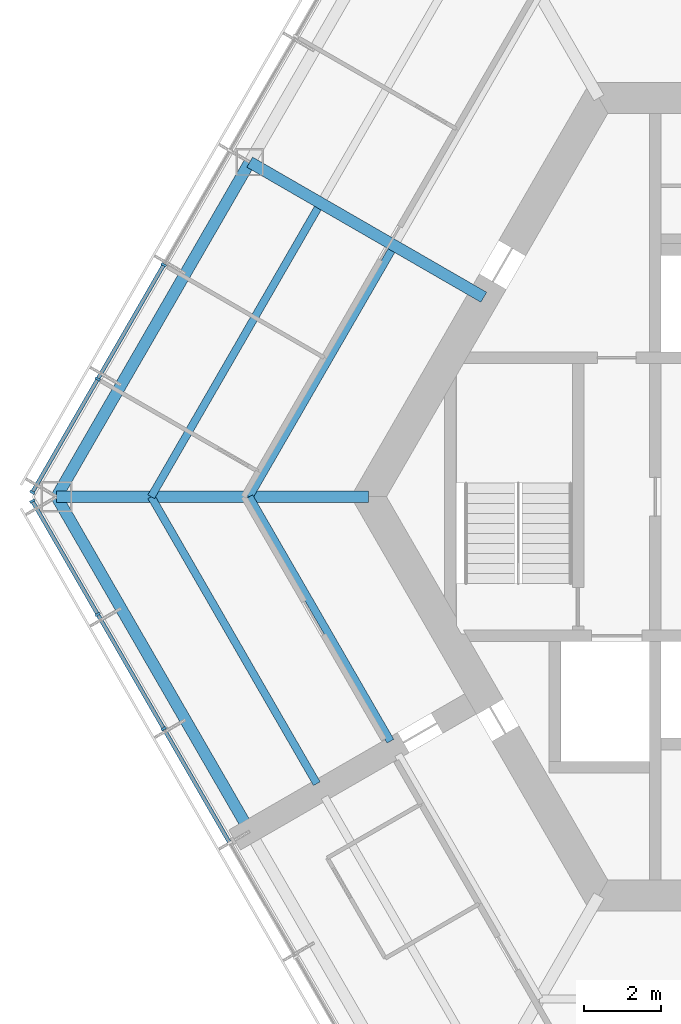
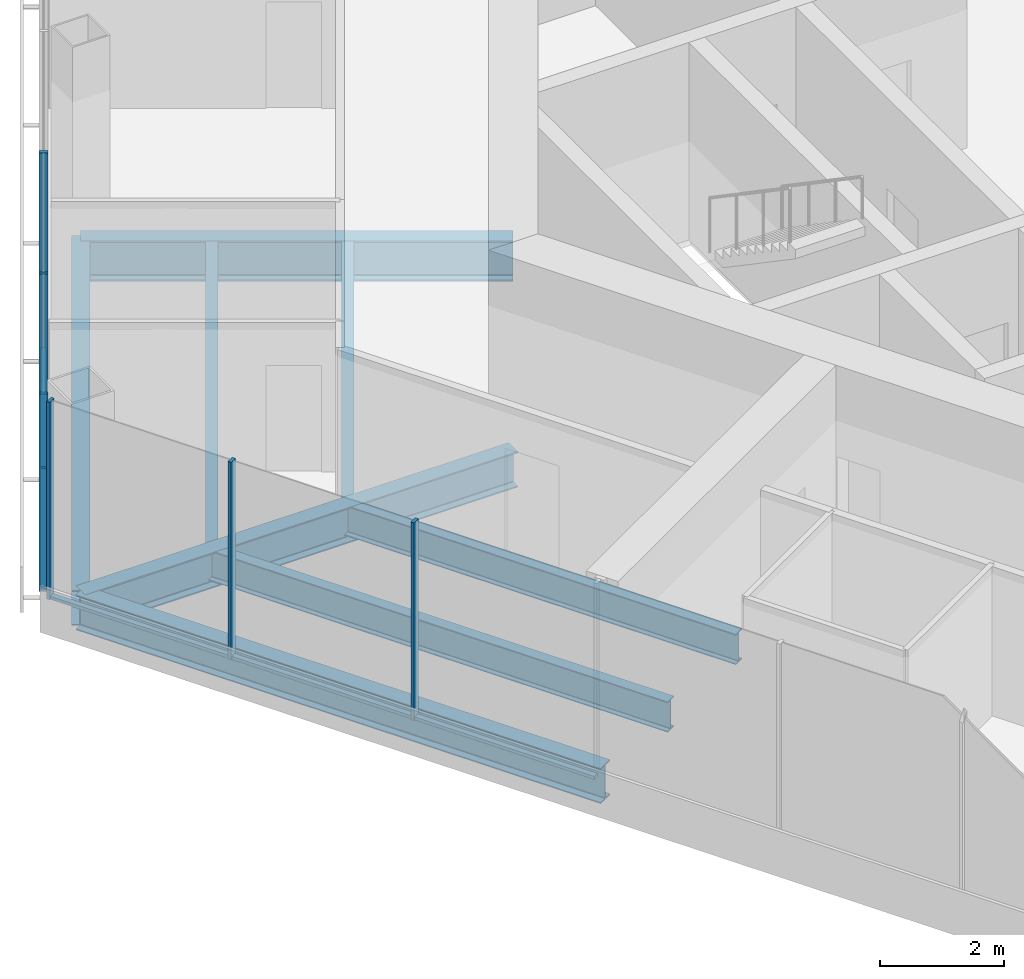
# One storey, part 3 of 16: 11 members, 8 beams, 2 elements without a shape of their own.
"""IFC4 building model written with IfcOpenShell, lengths in metres."""

from ifc_helpers import new_model, si_unit, direction, frame, origin, origin_2d, place, context, subcontext, project, spatial, rectangle, i_section, extrude, material, material_profile, profile_set, type_object, element, aggregate, save


model = new_model("IFC4")

# Units and contexts
model_context = context("Model", 3, precision=1e-05, world=origin(), true_north=direction((0.0, 1.0)))
body_context = subcontext(model_context, "Body", "Model", "MODEL_VIEW")
ifc_project = project(units=[si_unit("LENGTHUNIT", "METRE"), si_unit("AREAUNIT", "SQUARE_METRE"), si_unit("VOLUMEUNIT", "CUBIC_METRE"), si_unit("PLANEANGLEUNIT", "RADIAN"), si_unit("MASSUNIT", "GRAM", prefix="KILO")], contexts=[model_context])

# Site, building, storey
site_placement = place(None, origin())
site = spatial("IfcSite", under=ifc_project, at=site_placement, CompositionType="ELEMENT")
building_placement = place(site_placement, origin())
building = spatial("IfcBuilding", under=site, at=building_placement, Name="Kasaneha Research Tower", CompositionType="ELEMENT")
storey_placement = place(building_placement, frame((0.0, 0.0, 259.60009765625)))
storey = spatial("IfcBuildingStorey", under=building, at=storey_placement, Name="L65", CompositionType="ELEMENT", Elevation=259.60009765625)

# Beams
ifc_material_1 = material(Name="Steel SN490B", Category="steel")
ifc_material_profile_1 = material_profile(ifc_material_1, i_section(OverallWidth=0.199951171875, OverallDepth=0.60009765625, WebThickness=0.010986328125, FlangeThickness=0.01708984375, FilletRadius=0.012939453125, at=origin_2d()), Name="H-600x200x11x17")
ifc_profile_set_1 = profile_set([ifc_material_profile_1], Name="Steel SN490B")
beam_type_1 = type_object("IfcBeamType", Name="B1-3 secondary beam H-600x200x11x17", PredefinedType="JOIST", material=ifc_profile_set_1)
beam_1_placement = place(storey_placement, frame((-15.010986328125, 0.0, -0.4501953125), z_axis=(0.499994443168, 0.866028611999, 0.0), x_axis=(-0.866028611999, 0.499994443168, 0.0)))
element("IfcBeam", 1, at=beam_1_placement, inside=storey, type_object=beam_type_1, Name="Secondary beam RS150R1 L65", PredefinedType="JOIST", context=body_context, shape_type="SweptSolid", body=[
    extrude(i_section(OverallWidth=0.199951171875, OverallDepth=0.60009765625, WebThickness=0.010986328125, FlangeThickness=0.01708984375, FilletRadius=0.012939453125, at=origin_2d()), origin(), (0.0, 0.0, 1.0), 7.35546875),
])
beam_2_placement = place(storey_placement, frame((-17.551513671875, 0.0, -0.4501953125), z_axis=(0.5000050195, 0.866022505755, 0.0), x_axis=(-0.866022505755, 0.5000050195, 0.0)))
element("IfcBeam", 2, at=beam_2_placement, inside=storey, type_object=beam_type_1, Name="Secondary beam RS150R2 L65", PredefinedType="JOIST", context=body_context, shape_type="SweptSolid", body=[
    extrude(i_section(OverallWidth=0.199951171875, OverallDepth=0.60009765625, WebThickness=0.010986328125, FlangeThickness=0.01708984375, FilletRadius=0.012939453125, at=origin_2d()), origin(), (0.0, 0.0, 1.0), 8.6259765625),
])
beam_3_placement = place(storey_placement, frame((-15.010986328125, 0.0, -0.4501953125), z_axis=(0.499974128195, -0.866040340363, 0.0), x_axis=(0.866040340363, 0.499974128195, 0.0)))
element("IfcBeam", 3, at=beam_3_placement, inside=storey, type_object=beam_type_1, Name="Secondary beam RS210L1 L65", PredefinedType="JOIST", context=body_context, shape_type="SweptSolid", body=[
    extrude(i_section(OverallWidth=0.199951171875, OverallDepth=0.60009765625, WebThickness=0.010986328125, FlangeThickness=0.01708984375, FilletRadius=0.012939453125, at=origin_2d()), origin(), (0.0, 0.0, 1.0), 7.3056640625),
])
beam_4_placement = place(storey_placement, frame((-17.551513671875, 0.0, -0.4501953125), z_axis=(0.500000102728, -0.866025344474, 0.0), x_axis=(0.866025344474, 0.500000102728, 0.0)))
element("IfcBeam", 4, at=beam_4_placement, inside=storey, type_object=beam_type_1, Name="Secondary beam RS210L2 L65", PredefinedType="JOIST", context=body_context, shape_type="SweptSolid", body=[
    extrude(i_section(OverallWidth=0.199951171875, OverallDepth=0.60009765625, WebThickness=0.010986328125, FlangeThickness=0.01708984375, FilletRadius=0.012939453125, at=origin_2d()), origin(), (0.0, 0.0, 1.0), 8.57568359375),
])

# Curtain wall, members
ifc_material_2 = material(Name="Glass and aluminium", Category="aluminium")
curtain_wall_type = type_object("IfcCurtainWallType", Name="High-rise office curtain wall", PredefinedType="USERDEFINED", material=ifc_material_2)
curtain_wall_1_placement = place(storey_placement, origin())
curtain_wall_1 = element("IfcCurtainWall", 5, at=curtain_wall_1_placement, inside=storey, type_object=curtain_wall_type, Name="CW-O3 L65 run 03a", ObjectType="UNITISED CURTAIN WALL", PredefinedType="USERDEFINED")
ifc_material_3 = material(Name="Aluminium 6063-T6", Category="aluminium")
ifc_material_profile_2 = material_profile(ifc_material_3, rectangle(XDim=0.06005859375, YDim=0.139892578125, at=origin_2d()), Name="CW-O3 mullion 60x140")
ifc_profile_set_2 = profile_set([ifc_material_profile_2], Name="Aluminium 6063-T6")
member_type_1 = type_object("IfcMemberType", Name="CW-O3 mullion", PredefinedType="MULLION", material=ifc_profile_set_2)
member_1_placement = place(storey_placement, frame((-17.227294921875, 6.00244140625, 0.0), z_axis=(0.0, 0.0, 1.0), x_axis=(-0.499999995722, -0.866025406254, 0.0)))
member_1 = element("IfcMember", 6, at=member_1_placement, type_object=member_type_1, Name="CW-O3 mullion 5", PredefinedType="MULLION", context=body_context, shape_type="SweptSolid", body=[
    extrude(rectangle(XDim=0.06005859375, YDim=0.139892578125, at=origin_2d()), origin(), (0.0, 0.0, 1.0), 3.89990234375),
])
member_2_placement = place(storey_placement, frame((-18.93505859375, 3.04443359375, 0.0), z_axis=(0.0, 0.0, 1.0), x_axis=(-0.499999995722, -0.866025406254, 0.0)))
member_2 = element("IfcMember", 7, at=member_2_placement, type_object=member_type_1, Name="CW-O3 mullion 6", PredefinedType="MULLION", context=body_context, shape_type="SweptSolid", body=[
    extrude(rectangle(XDim=0.06005859375, YDim=0.139892578125, at=origin_2d()), origin(), (0.0, 0.0, 1.0), 3.89990234375),
])
member_3_placement = place(storey_placement, frame((-20.6279296875, 0.112548828125, 0.0), z_axis=(0.0, 0.0, 1.0), x_axis=(-0.499999995722, -0.866025406254, 0.0)))
member_3 = element("IfcMember", 8, at=member_3_placement, type_object=member_type_1, Name="CW-O3 mullion 7", PredefinedType="MULLION", context=body_context, shape_type="SweptSolid", body=[
    extrude(rectangle(XDim=0.06005859375, YDim=0.139892578125, at=origin_2d()), origin(), (0.0, 0.0, 1.0), 3.89990234375),
])

curtain_wall_2_placement = place(storey_placement, origin())
curtain_wall_2 = element("IfcCurtainWall", 9, at=curtain_wall_2_placement, inside=storey, type_object=curtain_wall_type, Name="CW-O3 L65 run 04a", ObjectType="UNITISED CURTAIN WALL", PredefinedType="USERDEFINED")
member_4_placement = place(storey_placement, frame((-20.6279296875, -0.112548828125, 0.0), z_axis=(0.0, 0.0, 1.0), x_axis=(0.499999995722, -0.866025406254, 0.0)))
member_4 = element("IfcMember", 10, at=member_4_placement, type_object=member_type_1, Name="CW-O3 mullion 1", PredefinedType="MULLION", context=body_context, shape_type="SweptSolid", body=[
    extrude(rectangle(XDim=0.06005859375, YDim=0.139892578125, at=origin_2d()), origin(), (0.0, 0.0, 1.0), 3.89990234375),
])
member_5_placement = place(storey_placement, frame((-18.93505859375, -3.04443359375, 0.0), z_axis=(0.0, 0.0, 1.0), x_axis=(0.499999995722, -0.866025406254, 0.0)))
member_5 = element("IfcMember", 11, at=member_5_placement, type_object=member_type_1, Name="CW-O3 mullion 2", PredefinedType="MULLION", context=body_context, shape_type="SweptSolid", body=[
    extrude(rectangle(XDim=0.06005859375, YDim=0.139892578125, at=origin_2d()), origin(), (0.0, 0.0, 1.0), 3.89990234375),
])
member_6_placement = place(storey_placement, frame((-17.227294921875, -6.00244140625, 0.0), z_axis=(0.0, 0.0, 1.0), x_axis=(0.499999995722, -0.866025406254, 0.0)))
member_6 = element("IfcMember", 12, at=member_6_placement, type_object=member_type_1, Name="CW-O3 mullion 3", PredefinedType="MULLION", context=body_context, shape_type="SweptSolid", body=[
    extrude(rectangle(XDim=0.06005859375, YDim=0.139892578125, at=origin_2d()), origin(), (0.0, 0.0, 1.0), 3.89990234375),
])

# Member
ifc_material_4 = material(Name="Aluminium 6063-T6", Category="aluminium")
ifc_material_profile_3 = material_profile(ifc_material_4, rectangle(XDim=0.10009765625, YDim=0.06005859375, at=origin_2d()), Name="CW-O3 transom 100x60")
ifc_profile_set_3 = profile_set([ifc_material_profile_3], Name="Aluminium 6063-T6")
member_type_2 = type_object("IfcMemberType", Name="CW-O3 transom", PredefinedType="USERDEFINED", material=ifc_profile_set_3)
member_7_placement = place(storey_placement, frame((-17.242431640625, 5.976318359375, 0.02978515625), z_axis=(-0.500020578564, -0.866013522419, 0.0), x_axis=(0.866013522419, -0.500020578564, 0.0)))
member_7 = element("IfcMember", 13, at=member_7_placement, type_object=member_type_2, Name="CW-O3 transom 5", ObjectType="TRANSOM", PredefinedType="USERDEFINED", context=body_context, shape_type="SweptSolid", body=[
    extrude(rectangle(XDim=0.10009765625, YDim=0.06005859375, at=origin_2d()), origin(), (0.0, 0.0, 1.0), 3.355224609375),
])

member_8_placement = place(storey_placement, frame((-18.9501953125, 3.0185546875, 0.02978515625), z_axis=(-0.49997666526, -0.866038875684, 0.0), x_axis=(0.866038875684, -0.49997666526, 0.0)))
member_8 = element("IfcMember", 14, at=member_8_placement, type_object=member_type_2, Name="CW-O3 transom 6", ObjectType="TRANSOM", PredefinedType="USERDEFINED", context=body_context, shape_type="SweptSolid", body=[
    extrude(rectangle(XDim=0.10009765625, YDim=0.06005859375, at=origin_2d()), origin(), (0.0, 0.0, 1.0), 3.325439453125),
])

aggregate(curtain_wall_1, [member_1, member_2, member_3, member_7, member_8])

member_9_placement = place(storey_placement, frame((-20.61279296875, -0.138671875, 0.02978515625), z_axis=(0.49997666526, -0.866038875684, 0.0), x_axis=(0.866038875684, 0.49997666526, 0.0)))
member_9 = element("IfcMember", 15, at=member_9_placement, type_object=member_type_2, Name="CW-O3 transom 1", ObjectType="TRANSOM", PredefinedType="USERDEFINED", context=body_context, shape_type="SweptSolid", body=[
    extrude(rectangle(XDim=0.10009765625, YDim=0.06005859375, at=origin_2d()), origin(), (0.0, 0.0, 1.0), 3.325439453125),
])

member_10_placement = place(storey_placement, frame((-18.920166015625, -3.070556640625, 0.02978515625), z_axis=(0.500020578564, -0.866013522419, 0.0), x_axis=(0.866013522419, 0.500020578564, 0.0)))
member_10 = element("IfcMember", 16, at=member_10_placement, type_object=member_type_2, Name="CW-O3 transom 2", ObjectType="TRANSOM", PredefinedType="USERDEFINED", context=body_context, shape_type="SweptSolid", body=[
    extrude(rectangle(XDim=0.10009765625, YDim=0.06005859375, at=origin_2d()), origin(), (0.0, 0.0, 1.0), 3.355224609375),
])

member_11_placement = place(storey_placement, frame((-17.21240234375, -6.0283203125, 0.02978515625), z_axis=(0.499989072476, -0.866031712701, 0.0), x_axis=(0.866031712701, 0.499989072476, 0.0)))
member_11 = element("IfcMember", 17, at=member_11_placement, type_object=member_type_2, Name="CW-O3 transom 3", ObjectType="TRANSOM", PredefinedType="USERDEFINED", context=body_context, shape_type="SweptSolid", body=[
    extrude(rectangle(XDim=0.10009765625, YDim=0.06005859375, at=origin_2d()), origin(), (0.0, 0.0, 1.0), 3.35546875),
])

aggregate(curtain_wall_2, [member_4, member_5, member_6, member_9, member_10, member_11])

# Beams
ifc_material_5 = material(Name="Steel SN490B", Category="steel")
ifc_material_profile_4 = material_profile(ifc_material_5, i_section(OverallWidth=0.300048828125, OverallDepth=0.699951171875, WebThickness=0.012939453125, FlangeThickness=0.02392578125, FilletRadius=0.01806640625, at=origin_2d()), Name="H-700x300x13x24")
ifc_profile_set_4 = profile_set([ifc_material_profile_4], Name="Steel SN490B")
beam_type_2 = type_object("IfcBeamType", Name="G1-3 radial girder H-700x300x13x24", PredefinedType="BEAM", material=ifc_profile_set_4)
beam_5_placement = place(storey_placement, frame((-11.92236328125, 0.0, -0.5), z_axis=(-1.0, 0.0, 0.0), x_axis=(0.0, -1.0, 0.0)))
element("IfcBeam", 18, at=beam_5_placement, inside=storey, type_object=beam_type_2, Name="Radial girder RV180 L65", PredefinedType="BEAM", context=body_context, shape_type="SweptSolid", body=[
    extrude(i_section(OverallWidth=0.300048828125, OverallDepth=0.699951171875, WebThickness=0.012939453125, FlangeThickness=0.02392578125, FilletRadius=0.01806640625, at=origin_2d()), origin(), (0.0, 0.0, 1.0), 8.07763671875),
])
ifc_material_6 = material(Name="Steel SN490B", Category="steel")
ifc_material_profile_5 = material_profile(ifc_material_6, i_section(OverallWidth=0.300048828125, OverallDepth=0.800048828125, WebThickness=0.013916015625, FlangeThickness=0.02587890625, FilletRadius=0.01806640625, at=origin_2d()), Name="H-800x300x14x26")
ifc_profile_set_5 = profile_set([ifc_material_profile_5], Name="Steel SN490B")
beam_type_3 = type_object("IfcBeamType", Name="G2-3 radial girder H-800x300x14x26", PredefinedType="BEAM", material=ifc_profile_set_5)
beam_6_placement = place(storey_placement, frame((-8.941650390625, 5.16259765625, -0.550048828125), z_axis=(-0.866039713508, 0.499975214012, 0.0), x_axis=(-0.499975214012, -0.866039713508, 0.0)))
element("IfcBeam", 19, at=beam_6_placement, inside=storey, type_object=beam_type_3, Name="Radial girder RM150 L65", PredefinedType="BEAM", context=body_context, shape_type="SweptSolid", body=[
    extrude(i_section(OverallWidth=0.300048828125, OverallDepth=0.800048828125, WebThickness=0.013916015625, FlangeThickness=0.02587890625, FilletRadius=0.01806640625, at=origin_2d()), origin(), (0.0, 0.0, 1.0), 6.995361328125),
])
ifc_material_7 = material(Name="Steel SN490B", Category="steel")
ifc_material_profile_6 = material_profile(ifc_material_7, i_section(OverallWidth=0.300048828125, OverallDepth=0.69189453125, WebThickness=0.012939453125, FlangeThickness=0.02001953125, FilletRadius=0.01806640625, at=origin_2d()), Name="H-692x300x13x20")
ifc_profile_set_6 = profile_set([ifc_material_profile_6], Name="Steel SN490B")
beam_type_4 = type_object("IfcBeamType", Name="G3-3 plate edge girder H-692x300x13x20", PredefinedType="BEAM", material=ifc_profile_set_6)
beam_7_placement = place(storey_placement, frame((-20.0, 0.0, -0.49609375), z_axis=(0.49999201416, -0.866030014362, 0.0), x_axis=(0.866030014362, 0.49999201416, 0.0)))
element("IfcBeam", 20, at=beam_7_placement, inside=storey, type_object=beam_type_4, Name="Plate edge girder PEBP L65", PredefinedType="BEAM", context=body_context, shape_type="SweptSolid", body=[
    extrude(i_section(OverallWidth=0.300048828125, OverallDepth=0.69189453125, WebThickness=0.012939453125, FlangeThickness=0.02001953125, FilletRadius=0.01806640625, at=origin_2d()), origin(), (0.0, 0.0, 1.0), 9.800048828125),
])
ifc_material_8 = material(Name="Steel SN490B", Category="steel")
ifc_material_profile_7 = material_profile(ifc_material_8, i_section(OverallWidth=0.300048828125, OverallDepth=0.69189453125, WebThickness=0.012939453125, FlangeThickness=0.02001953125, FilletRadius=0.01806640625, at=origin_2d()), Name="H-692x300x13x20")
ifc_profile_set_7 = profile_set([ifc_material_profile_7], Name="Steel SN490B")
beam_type_5 = type_object("IfcBeamType", Name="SB1-3 spandrel beam H-692x300x13x20", PredefinedType="SPANDREL", material=ifc_profile_set_7)
beam_8_placement = place(storey_placement, frame((-20.0, 0.0, -0.49609375), z_axis=(0.500004234368, 0.866022959057, 0.0), x_axis=(-0.866022959057, 0.500004234368, 0.0)))
element("IfcBeam", 21, at=beam_8_placement, inside=storey, type_object=beam_type_5, Name="Spandrel beam SR150R L65", PredefinedType="SPANDREL", context=body_context, shape_type="SweptSolid", body=[
    extrude(i_section(OverallWidth=0.300048828125, OverallDepth=0.69189453125, WebThickness=0.012939453125, FlangeThickness=0.02001953125, FilletRadius=0.01806640625, at=origin_2d()), origin(), (0.0, 0.0, 1.0), 10.0),
])

save(model, "model.ifc")
